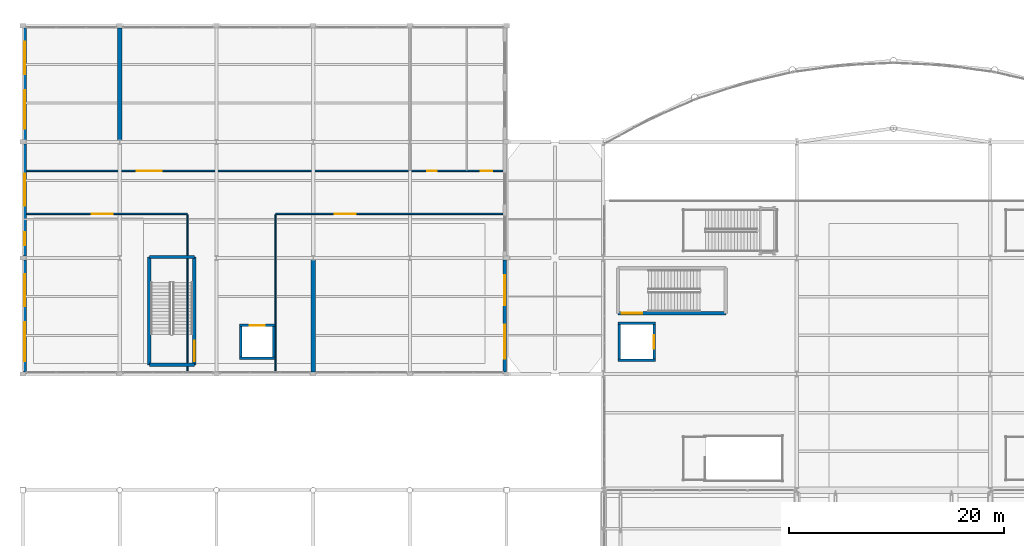
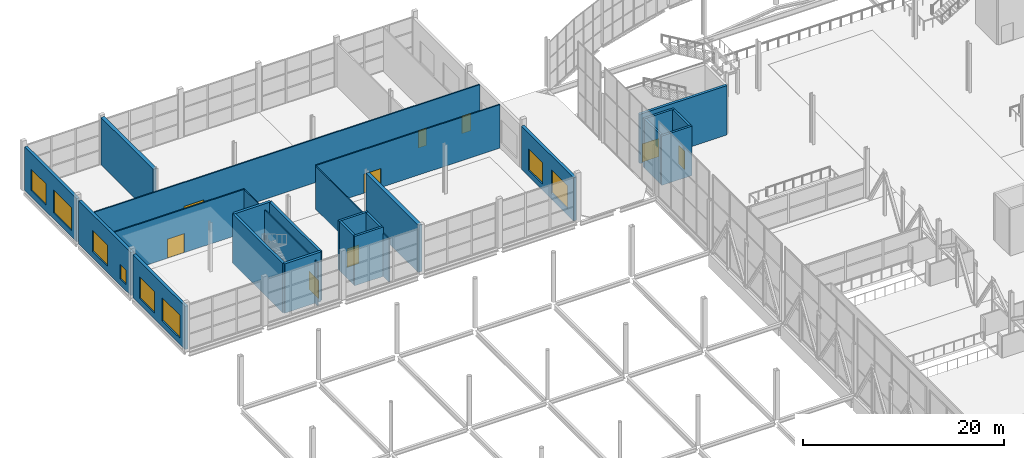
# One storey, part 169 of 191: 24 walls, 9 doors, 8 windows, 17 openings.
"""IFC4 building model written with IfcOpenShell, lengths in metres."""

from ifc_helpers import new_model, si_unit, direction, frame, frame_2d, origin, place, context, subcontext, project, spatial, rectangle, extrude, material, layer, layer_set, type_object, element, fill, save


model = new_model("IFC4")

# Units and contexts
model_context = context("Model", 3, precision=1e-05, world=origin(), true_north=direction((0.0, 1.0)))
body_context = subcontext(model_context, "Body", "Model", "MODEL_VIEW")
ifc_project = project(units=[si_unit("LENGTHUNIT", "METRE"), si_unit("AREAUNIT", "SQUARE_METRE"), si_unit("VOLUMEUNIT", "CUBIC_METRE"), si_unit("PLANEANGLEUNIT", "RADIAN"), si_unit("MASSUNIT", "GRAM", prefix="KILO")], contexts=[model_context])

# Site, building, storey
site_placement = place(None, origin())
site = spatial("IfcSite", under=ifc_project, at=site_placement, CompositionType="ELEMENT")
building_placement = place(site_placement, origin())
building = spatial("IfcBuilding", under=site, at=building_placement, Name="Tamarisk Ironworks Central Station", CompositionType="ELEMENT")
storey_placement = place(building_placement, frame((0.0, 0.0, 6.60009765625)))
storey = spatial("IfcBuildingStorey", under=building, at=storey_placement, Name="L01", CompositionType="ELEMENT", Elevation=6.60009765625)

# Wall, openings, windows
ifc_material_1 = material(Name="Clay facing brickwork and mortar", Category="masonry")
ifc_layer_1 = layer(ifc_material_1, 0.340087890625)
ifc_layer_set_1 = layer_set([ifc_layer_1], Name="Clay facing brickwork and mortar")
wall_type_1 = type_object("IfcWallType", Name="WL-BR340", PredefinedType="STANDARD", material=ifc_layer_set_1)
wall_1_placement = place(storey_placement, frame((0.169921875, 90.197998046875, 0.0), z_axis=(0.0, 0.0, 1.0), x_axis=(0.0, 1.0, 0.0)))
wall_1 = element("IfcWall", 1, at=wall_1_placement, inside=storey, type_object=wall_type_1, Name="L01 brick facade wall 0030", PredefinedType="STANDARD", context=body_context, shape_type="SweptSolid", body=[
    extrude(rectangle(XDim=10.404052734375, YDim=0.340087890625, at=frame_2d((5.2021484375, 0.0))), origin(), (0.0, 0.0, 1.0), 5.25),
])
opening_1_placement = place(wall_1_placement, frame((1.0009765625, 0.0, 0.75)))
opening_1 = element("IfcOpeningElement", 2, at=opening_1_placement, cuts=wall_1, Name="Opening W01", PredefinedType="OPENING", context=body_context, shape_type="SweptSolid", body=[
    extrude(rectangle(XDim=3.60009765625, YDim=2.800048828125, at=frame_2d((1.800048828125, 1.39990234375))), frame((0.0, 0.18212890625, 0.0), z_axis=(0.0, -1.0, 0.0), x_axis=(1.0, 0.0, 0.0)), (0.0, 0.0, 1.0), 0.364013671875),
])
opening_2_placement = place(wall_1_placement, frame((6.10302734375, 0.0, 0.75)))
opening_2 = element("IfcOpeningElement", 3, at=opening_2_placement, cuts=wall_1, Name="Opening W03", PredefinedType="OPENING", context=body_context, shape_type="SweptSolid", body=[
    extrude(rectangle(XDim=3.0, YDim=2.60009765625, at=frame_2d((1.5, 1.300048828125))), frame((0.0, 0.18212890625, 0.0), z_axis=(0.0, -1.0, 0.0), x_axis=(1.0, 0.0, 0.0)), (0.0, 0.0, 1.0), 0.364013671875),
])
ifc_material_2 = material(Name="Laminated solar-control low-E glass", Category="glass")
window_type_1 = type_object("IfcWindowType", Name="WN-01", PartitioningType="SINGLE_PANEL", PredefinedType="WINDOW", material=ifc_material_2)
window_1_placement = place(opening_1_placement, origin())
window_1 = element("IfcWindow", 4, at=window_1_placement, inside=storey, type_object=window_type_1, Name="L01 exterior window 0030", OverallHeight=2.800048828125, OverallWidth=3.60009765625, PartitioningType="DOUBLE_PANEL_VERTICAL", PredefinedType="WINDOW", context=body_context, shape_type="SweptSolid", body=[
    extrude(rectangle(XDim=3.60009765625, YDim=2.800048828125, at=frame_2d((1.800048828125, 1.39990234375))), frame((0.0, 0.030029296875, 0.0), z_axis=(0.0, -1.0, 0.0), x_axis=(1.0, 0.0, 0.0)), (0.0, 0.0, 1.0), 0.06005859375),
])
fill(opening_1, window_1)
window_type_2 = type_object("IfcWindowType", Name="WN-03", PartitioningType="SINGLE_PANEL", PredefinedType="WINDOW", material=ifc_material_2)
window_2_placement = place(opening_2_placement, origin())
window_2 = element("IfcWindow", 5, at=window_2_placement, inside=storey, type_object=window_type_2, Name="L01 exterior window 0031", OverallHeight=2.60009765625, OverallWidth=3.0, PartitioningType="DOUBLE_PANEL_VERTICAL", PredefinedType="WINDOW", context=body_context, shape_type="SweptSolid", body=[
    extrude(rectangle(XDim=3.0, YDim=2.60009765625, at=frame_2d((1.5, 1.300048828125))), frame((0.0, 0.030029296875, 0.0), z_axis=(0.0, -1.0, 0.0), x_axis=(1.0, 0.0, 0.0)), (0.0, 0.0, 1.0), 0.06005859375),
])
fill(opening_2, window_2)

wall_2_placement = place(storey_placement, frame((44.830078125, 90.197998046875, 0.0), z_axis=(0.0, 0.0, 1.0), x_axis=(0.0, 1.0, 0.0)))
wall_2 = element("IfcWall", 6, at=wall_2_placement, inside=storey, type_object=wall_type_1, Name="L01 brick facade wall 0031", PredefinedType="STANDARD", context=body_context, shape_type="SweptSolid", body=[
    extrude(rectangle(XDim=10.404052734375, YDim=0.340087890625, at=frame_2d((5.2021484375, 0.0))), origin(), (0.0, 0.0, 1.0), 5.25),
])
opening_3_placement = place(wall_2_placement, frame((1.200927734375, 0.0, 0.75)))
opening_3 = element("IfcOpeningElement", 7, at=opening_3_placement, cuts=wall_2, Name="Opening W02", PredefinedType="OPENING", context=body_context, shape_type="SweptSolid", body=[
    extrude(rectangle(XDim=3.199951171875, YDim=2.800048828125, at=frame_2d((1.60009765625, 1.39990234375))), frame((0.0, 0.18212890625, 0.0), z_axis=(0.0, -1.0, 0.0), x_axis=(1.0, 0.0, 0.0)), (0.0, 0.0, 1.0), 0.364013671875),
])
opening_4_placement = place(wall_2_placement, frame((6.202880859375, 0.0, 0.75)))
opening_4 = element("IfcOpeningElement", 8, at=opening_4_placement, cuts=wall_2, Name="Opening W04", PredefinedType="OPENING", context=body_context, shape_type="SweptSolid", body=[
    extrude(rectangle(XDim=2.800048828125, YDim=2.60009765625, at=frame_2d((1.39990234375, 1.300048828125))), frame((0.0, 0.18212890625, 0.0), z_axis=(0.0, -1.0, 0.0), x_axis=(1.0, 0.0, 0.0)), (0.0, 0.0, 1.0), 0.364013671875),
])
window_type_3 = type_object("IfcWindowType", Name="WN-02", PartitioningType="SINGLE_PANEL", PredefinedType="WINDOW", material=ifc_material_2)
window_3_placement = place(opening_3_placement, origin())
window_3 = element("IfcWindow", 9, at=window_3_placement, inside=storey, type_object=window_type_3, Name="L01 exterior window 0032", OverallHeight=2.800048828125, OverallWidth=3.199951171875, PartitioningType="DOUBLE_PANEL_VERTICAL", PredefinedType="WINDOW", context=body_context, shape_type="SweptSolid", body=[
    extrude(rectangle(XDim=3.199951171875, YDim=2.800048828125, at=frame_2d((1.60009765625, 1.39990234375))), frame((0.0, 0.030029296875, 0.0), z_axis=(0.0, -1.0, 0.0), x_axis=(1.0, 0.0, 0.0)), (0.0, 0.0, 1.0), 0.06005859375),
])
fill(opening_3, window_3)
window_type_4 = type_object("IfcWindowType", Name="WN-04", PartitioningType="SINGLE_PANEL", PredefinedType="WINDOW", material=ifc_material_2)
window_4_placement = place(opening_4_placement, origin())
window_4 = element("IfcWindow", 10, at=window_4_placement, inside=storey, type_object=window_type_4, Name="L01 exterior window 0033", OverallHeight=2.60009765625, OverallWidth=2.800048828125, PartitioningType="DOUBLE_PANEL_VERTICAL", PredefinedType="WINDOW", context=body_context, shape_type="SweptSolid", body=[
    extrude(rectangle(XDim=2.800048828125, YDim=2.60009765625, at=frame_2d((1.39990234375, 1.300048828125))), frame((0.0, 0.030029296875, 0.0), z_axis=(0.0, -1.0, 0.0), x_axis=(1.0, 0.0, 0.0)), (0.0, 0.0, 1.0), 0.06005859375),
])
fill(opening_4, window_4)

wall_3_placement = place(storey_placement, frame((0.169921875, 100.998046875, 0.0), z_axis=(0.0, 0.0, 1.0), x_axis=(0.0, 1.0, 0.0)))
wall_3 = element("IfcWall", 11, at=wall_3_placement, inside=storey, type_object=wall_type_1, Name="L01 brick facade wall 0032", PredefinedType="STANDARD", context=body_context, shape_type="SweptSolid", body=[
    extrude(rectangle(XDim=10.404052734375, YDim=0.340087890625, at=frame_2d((5.2021484375, 0.0))), origin(), (0.0, 0.0, 1.0), 5.25),
])
opening_5_placement = place(wall_3_placement, frame((1.0009765625, 0.0, 0.75)))
opening_5 = element("IfcOpeningElement", 12, at=opening_5_placement, cuts=wall_3, Name="Opening W13", PredefinedType="OPENING", context=body_context, shape_type="SweptSolid", body=[
    extrude(rectangle(XDim=1.199951171875, YDim=1.800048828125, at=frame_2d((0.60009765625, 0.89990234375))), frame((0.0, 0.18212890625, 0.0), z_axis=(0.0, -1.0, 0.0), x_axis=(1.0, 0.0, 0.0)), (0.0, 0.0, 1.0), 0.364013671875),
])
opening_6_placement = place(wall_3_placement, frame((4.653076171875, 0.0, 0.75)))
opening_6 = element("IfcOpeningElement", 13, at=opening_6_placement, cuts=wall_3, Name="Opening W03", PredefinedType="OPENING", context=body_context, shape_type="SweptSolid", body=[
    extrude(rectangle(XDim=3.0, YDim=2.60009765625, at=frame_2d((1.5, 1.300048828125))), frame((0.0, 0.18212890625, 0.0), z_axis=(0.0, -1.0, 0.0), x_axis=(1.0, 0.0, 0.0)), (0.0, 0.0, 1.0), 0.364013671875),
])
window_5_placement = place(opening_6_placement, origin())
window_5 = element("IfcWindow", 14, at=window_5_placement, inside=storey, type_object=window_type_2, Name="L01 exterior window 0035", OverallHeight=2.60009765625, OverallWidth=3.0, PartitioningType="DOUBLE_PANEL_VERTICAL", PredefinedType="WINDOW", context=body_context, shape_type="SweptSolid", body=[
    extrude(rectangle(XDim=3.0, YDim=2.60009765625, at=frame_2d((1.5, 1.300048828125))), frame((0.0, 0.030029296875, 0.0), z_axis=(0.0, -1.0, 0.0), x_axis=(1.0, 0.0, 0.0)), (0.0, 0.0, 1.0), 0.06005859375),
])
fill(opening_6, window_5)
window_type_5 = type_object("IfcWindowType", Name="WN-13", PartitioningType="SINGLE_PANEL", PredefinedType="WINDOW", material=ifc_material_2)
window_6_placement = place(opening_5_placement, origin())
window_6 = element("IfcWindow", 15, at=window_6_placement, inside=storey, type_object=window_type_5, Name="L01 exterior window 0034", OverallHeight=1.800048828125, OverallWidth=1.199951171875, PartitioningType="DOUBLE_PANEL_VERTICAL", PredefinedType="WINDOW", context=body_context, shape_type="SweptSolid", body=[
    extrude(rectangle(XDim=1.199951171875, YDim=1.800048828125, at=frame_2d((0.60009765625, 0.89990234375))), frame((0.0, 0.030029296875, 0.0), z_axis=(0.0, -1.0, 0.0), x_axis=(1.0, 0.0, 0.0)), (0.0, 0.0, 1.0), 0.06005859375),
])
fill(opening_5, window_6)

wall_4_placement = place(storey_placement, frame((0.169921875, 111.798095703125, 0.0), z_axis=(0.0, 0.0, 1.0), x_axis=(0.0, 1.0, 0.0)))
wall_4 = element("IfcWall", 16, at=wall_4_placement, inside=storey, type_object=wall_type_1, Name="L01 brick facade wall 0034", PredefinedType="STANDARD", context=body_context, shape_type="SweptSolid", body=[
    extrude(rectangle(XDim=10.40380859375, YDim=0.340087890625, at=frame_2d((5.201904296875, 0.0))), origin(), (0.0, 0.0, 1.0), 5.25),
])
opening_7_placement = place(wall_4_placement, frame((1.0009765625, 0.0, 0.75)))
opening_7 = element("IfcOpeningElement", 17, at=opening_7_placement, cuts=wall_4, Name="Opening W01", PredefinedType="OPENING", context=body_context, shape_type="SweptSolid", body=[
    extrude(rectangle(XDim=3.60009765625, YDim=2.800048828125, at=frame_2d((1.800048828125, 1.39990234375))), frame((0.0, 0.18212890625, 0.0), z_axis=(0.0, -1.0, 0.0), x_axis=(1.0, 0.0, 0.0)), (0.0, 0.0, 1.0), 0.364013671875),
])
opening_8_placement = place(wall_4_placement, frame((6.10302734375, 0.0, 0.75)))
opening_8 = element("IfcOpeningElement", 18, at=opening_8_placement, cuts=wall_4, Name="Opening W03", PredefinedType="OPENING", context=body_context, shape_type="SweptSolid", body=[
    extrude(rectangle(XDim=3.0, YDim=2.60009765625, at=frame_2d((1.5, 1.300048828125))), frame((0.0, 0.18212890625, 0.0), z_axis=(0.0, -1.0, 0.0), x_axis=(1.0, 0.0, 0.0)), (0.0, 0.0, 1.0), 0.364013671875),
])
window_7_placement = place(opening_7_placement, origin())
window_7 = element("IfcWindow", 19, at=window_7_placement, inside=storey, type_object=window_type_1, Name="L01 exterior window 0038", OverallHeight=2.800048828125, OverallWidth=3.60009765625, PartitioningType="DOUBLE_PANEL_VERTICAL", PredefinedType="WINDOW", context=body_context, shape_type="SweptSolid", body=[
    extrude(rectangle(XDim=3.60009765625, YDim=2.800048828125, at=frame_2d((1.800048828125, 1.39990234375))), frame((0.0, 0.030029296875, 0.0), z_axis=(0.0, -1.0, 0.0), x_axis=(1.0, 0.0, 0.0)), (0.0, 0.0, 1.0), 0.06005859375),
])
fill(opening_7, window_7)
window_8_placement = place(opening_8_placement, origin())
window_8 = element("IfcWindow", 20, at=window_8_placement, inside=storey, type_object=window_type_2, Name="L01 exterior window 0039", OverallHeight=2.60009765625, OverallWidth=3.0, PartitioningType="DOUBLE_PANEL_VERTICAL", PredefinedType="WINDOW", context=body_context, shape_type="SweptSolid", body=[
    extrude(rectangle(XDim=3.0, YDim=2.60009765625, at=frame_2d((1.5, 1.300048828125))), frame((0.0, 0.030029296875, 0.0), z_axis=(0.0, -1.0, 0.0), x_axis=(1.0, 0.0, 0.0)), (0.0, 0.0, 1.0), 0.06005859375),
])
fill(opening_8, window_8)

# Wall, opening, door
ifc_material_3 = material(Name="Concrete C50/60", Category="concrete")
ifc_layer_2 = layer(ifc_material_3, 0.300048828125)
ifc_layer_set_2 = layer_set([ifc_layer_2], Name="Concrete C50/60")
wall_type_2 = type_object("IfcWallType", Name="WL-CW300", PredefinedType="SOLIDWALL", material=ifc_layer_set_2)
wall_5_placement = place(storey_placement, frame((55.35498046875, 95.655029296875, 0.0), z_axis=(0.0, 0.0, 1.0), x_axis=(1.0, 0.0, 0.0)))
wall_5 = element("IfcWall", 21, at=wall_5_placement, inside=storey, type_object=wall_type_2, Name="ST-C3 core wall L (L01)", PredefinedType="SOLIDWALL", context=body_context, shape_type="SweptSolid", body=[
    extrude(rectangle(XDim=10.0400390625, YDim=0.300048828125, at=frame_2d((5.02001953125, 0.0))), origin(), (0.0, 0.0, 1.0), 6.0),
])
opening_9_placement = place(wall_5_placement, frame((0.35009765625, 0.0, 0.0048828125)))
opening_9 = element("IfcOpeningElement", 22, at=opening_9_placement, cuts=wall_5, Name="Opening FD02", PredefinedType="OPENING", context=body_context, shape_type="SweptSolid", body=[
    extrude(rectangle(XDim=1.89990234375, YDim=2.199951171875, at=frame_2d((0.949951171875, 1.10009765625))), frame((0.0, 0.162109375, 0.0), z_axis=(0.0, -1.0, 0.0), x_axis=(1.0, 0.0, 0.0)), (0.0, 0.0, 1.0), 0.323974609375),
])
ifc_material_4 = material(Name="Galvanised hollow-metal door steel", Category="steel")
door_type_1 = type_object("IfcDoorType", Name="DR-FD02", OperationType="NOTDEFINED", PredefinedType="DOOR", material=ifc_material_4)
door_1_placement = place(opening_9_placement, origin())
door_1 = element("IfcDoor", 23, at=door_1_placement, inside=storey, type_object=door_type_1, Name="ST-C3 fire stair door (L01)", OperationType="SINGLE_SWING_RIGHT", OverallHeight=2.199951171875, OverallWidth=1.89990234375, PredefinedType="DOOR", context=body_context, shape_type="SweptSolid", body=[
    extrude(rectangle(XDim=1.89990234375, YDim=2.199951171875, at=frame_2d((0.949951171875, 1.10009765625))), frame((0.0, 0.02490234375, 0.0), z_axis=(0.0, -1.0, 0.0), x_axis=(1.0, 0.0, 0.0)), (0.0, 0.0, 1.0), 0.050048828125),
])
fill(opening_9, door_1)

wall_6_placement = place(storey_placement, frame((15.945068359375, 90.85498046875, 0.0), z_axis=(0.0, 0.0, 1.0), x_axis=(0.0, 1.0, 0.0)))
wall_6 = element("IfcWall", 24, at=wall_6_placement, inside=storey, type_object=wall_type_2, Name="ST-C6 core wall L (L01)", PredefinedType="SOLIDWALL", context=body_context, shape_type="SweptSolid", body=[
    extrude(rectangle(XDim=10.0400390625, YDim=0.300048828125, at=frame_2d((5.02001953125, 0.0))), origin(), (0.0, 0.0, 1.0), 6.0),
])
opening_10_placement = place(wall_6_placement, frame((0.35009765625, 0.0, 0.0048828125)))
opening_10 = element("IfcOpeningElement", 25, at=opening_10_placement, cuts=wall_6, Name="Opening FD02", PredefinedType="OPENING", context=body_context, shape_type="SweptSolid", body=[
    extrude(rectangle(XDim=1.89990234375, YDim=2.199951171875, at=frame_2d((0.949951171875, 1.10009765625))), frame((0.0, 0.162109375, 0.0), z_axis=(0.0, -1.0, 0.0), x_axis=(1.0, 0.0, 0.0)), (0.0, 0.0, 1.0), 0.323974609375),
])
door_2_placement = place(opening_10_placement, origin())
door_2 = element("IfcDoor", 26, at=door_2_placement, inside=storey, type_object=door_type_1, Name="ST-C6 fire stair door (L01)", OperationType="SINGLE_SWING_RIGHT", OverallHeight=2.199951171875, OverallWidth=1.89990234375, PredefinedType="DOOR", context=body_context, shape_type="SweptSolid", body=[
    extrude(rectangle(XDim=1.89990234375, YDim=2.199951171875, at=frame_2d((0.949951171875, 1.10009765625))), frame((0.0, 0.02490234375, 0.0), z_axis=(0.0, -1.0, 0.0), x_axis=(1.0, 0.0, 0.0)), (0.0, 0.0, 1.0), 0.050048828125),
])
fill(opening_10, door_2)

# Walls
wall_7_placement = place(storey_placement, frame((11.7548828125, 90.85498046875, 0.0), z_axis=(0.0, 0.0, 1.0), x_axis=(0.0, 1.0, 0.0)))
element("IfcWall", 27, at=wall_7_placement, inside=storey, type_object=wall_type_2, Name="ST-C6 core wall R (L01)", PredefinedType="SOLIDWALL", context=body_context, shape_type="SweptSolid", body=[
    extrude(rectangle(XDim=10.0400390625, YDim=0.300048828125, at=frame_2d((5.02001953125, 0.0))), origin(), (0.0, 0.0, 1.0), 6.0),
])
for number, where, z_axis, x_axis, name in (
    (28, (15.945068359375, 90.85498046875, 0.0), (0.0, 0.0, 1.0), (-1.0, 0.0, 0.0), "ST-C6 core wall N (L01)"),
    (29, (15.945068359375, 100.89501953125, 0.0), (0.0, 0.0, 1.0), (-1.0, 0.0, 0.0), "ST-C6 core wall F (L01)"),
):
    element("IfcWall", number, at=place(storey_placement, frame(where, z_axis=z_axis, x_axis=x_axis)), inside=storey, type_object=wall_type_2, Name=name, PredefinedType="SOLIDWALL", context=body_context, shape_type="SweptSolid", body=[
        extrude(rectangle(XDim=4.190185546875, YDim=0.300048828125, at=frame_2d((2.09521484375, 0.0))), origin(), (0.0, 0.0, 1.0), 6.0),
    ])
ifc_material_5 = material(Name="Gypsum plasterboard acoustic partition")
ifc_layer_3 = layer(ifc_material_5, 0.1201171875)
ifc_layer_set_3 = layer_set([ifc_layer_3], Name="Gypsum plasterboard acoustic partition")
wall_type_3 = type_object("IfcWallType", Name="WL-PT120", PredefinedType="PARTITIONING", material=ifc_layer_set_3)
for number, where, z_axis, x_axis, name in (
    (30, (15.300048828125, 90.238037109375, 0.0), (0.0, 0.0, 1.0), (0.0, 1.0, 0.0), "L01 interior partition 0030"),
    (31, (23.5, 90.238037109375, 0.0), (0.0, 0.0, 1.0), (0.0, 1.0, 0.0), "L01 interior partition 0031"),
):
    element("IfcWall", number, at=place(storey_placement, frame(where, z_axis=z_axis, x_axis=x_axis)), inside=storey, type_object=wall_type_3, Name=name, PredefinedType="PARTITIONING", context=body_context, shape_type="SweptSolid", body=[
        extrude(rectangle(XDim=14.5888671875, YDim=0.1201171875, at=frame_2d((7.29443359375, 0.0))), origin(), (0.0, 0.0, 1.0), 5.239990234375),
    ])

# Wall, opening, door
ifc_layer_4 = layer(ifc_material_5, 0.14990234375)
ifc_layer_set_4 = layer_set([ifc_layer_4], Name="Gypsum plasterboard acoustic partition")
wall_type_4 = type_object("IfcWallType", Name="WL-PT150", PredefinedType="PARTITIONING", material=ifc_layer_set_4)
wall_8_placement = place(storey_placement, frame((0.337890625, 104.89990234375, 0.0), z_axis=(0.0, 0.0, 1.0), x_axis=(1.0, 0.0, 0.0)))
wall_8 = element("IfcWall", 32, at=wall_8_placement, inside=storey, type_object=wall_type_4, Name="L01 interior partition 0027", PredefinedType="PARTITIONING", context=body_context, shape_type="SweptSolid", body=[
    extrude(rectangle(XDim=14.962158203125, YDim=0.14990234375, at=frame_2d((7.48095703125, 0.0))), origin(), (0.0, 0.0, 1.0), 5.289794921875),
])
opening_11_placement = place(wall_8_placement, frame((6.06201171875, 0.0, 0.0048828125)))
opening_11 = element("IfcOpeningElement", 33, at=opening_11_placement, cuts=wall_8, Name="Opening D02", PredefinedType="OPENING", context=body_context, shape_type="SweptSolid", body=[
    extrude(rectangle(XDim=1.949951171875, YDim=2.300048828125, at=frame_2d((0.97509765625, 1.14990234375))), frame((0.0, 0.0869140625, 0.0), z_axis=(0.0, -1.0, 0.0), x_axis=(1.0, 0.0, 0.0)), (0.0, 0.0, 1.0), 0.173828125),
])
ifc_material_6 = material(Name="Anodized aluminium alloy 6063-T6", Category="aluminium")
door_type_2 = type_object("IfcDoorType", Name="DR-ID02", OperationType="NOTDEFINED", PredefinedType="DOOR", material=ifc_material_6)
door_3_placement = place(opening_11_placement, origin())
door_3 = element("IfcDoor", 34, at=door_3_placement, inside=storey, type_object=door_type_2, Name="L01 room door 0022", OperationType="DOUBLE_DOOR_SINGLE_SWING", OverallHeight=2.300048828125, OverallWidth=1.949951171875, PredefinedType="DOOR", context=body_context, shape_type="SweptSolid", body=[
    extrude(rectangle(XDim=1.949951171875, YDim=2.300048828125, at=frame_2d((0.97509765625, 1.14990234375))), frame((0.0, 0.02490234375, 0.0), z_axis=(0.0, -1.0, 0.0), x_axis=(1.0, 0.0, 0.0)), (0.0, 0.0, 1.0), 0.050048828125),
])
fill(opening_11, door_3)

wall_9_placement = place(storey_placement, frame((23.5, 104.89990234375, 0.0), z_axis=(0.0, 0.0, 1.0), x_axis=(1.0, 0.0, 0.0)))
wall_9 = element("IfcWall", 35, at=wall_9_placement, inside=storey, type_object=wall_type_4, Name="L01 interior partition 0028", PredefinedType="PARTITIONING", context=body_context, shape_type="SweptSolid", body=[
    extrude(rectangle(XDim=21.162109375, YDim=0.14990234375, at=frame_2d((10.5810546875, 0.0))), origin(), (0.0, 0.0, 1.0), 5.289794921875),
])
opening_12_placement = place(wall_9_placement, frame((5.5, 0.0, 0.0048828125)))
opening_12 = element("IfcOpeningElement", 36, at=opening_12_placement, cuts=wall_9, Name="Opening D02", PredefinedType="OPENING", context=body_context, shape_type="SweptSolid", body=[
    extrude(rectangle(XDim=1.949951171875, YDim=2.300048828125, at=frame_2d((0.97509765625, 1.14990234375))), frame((0.0, 0.0869140625, 0.0), z_axis=(0.0, -1.0, 0.0), x_axis=(1.0, 0.0, 0.0)), (0.0, 0.0, 1.0), 0.173828125),
])
door_4_placement = place(opening_12_placement, origin())
door_4 = element("IfcDoor", 37, at=door_4_placement, inside=storey, type_object=door_type_2, Name="L01 room door 0023", OperationType="DOUBLE_DOOR_SINGLE_SWING", OverallHeight=2.300048828125, OverallWidth=1.949951171875, PredefinedType="DOOR", context=body_context, shape_type="SweptSolid", body=[
    extrude(rectangle(XDim=1.949951171875, YDim=2.300048828125, at=frame_2d((0.97509765625, 1.14990234375))), frame((0.0, 0.02490234375, 0.0), z_axis=(0.0, -1.0, 0.0), x_axis=(1.0, 0.0, 0.0)), (0.0, 0.0, 1.0), 0.050048828125),
])
fill(opening_12, door_4)

# Wall, openings, doors
wall_10_placement = place(storey_placement, frame((0.337890625, 108.89990234375, 0.0), z_axis=(0.0, 0.0, 1.0), x_axis=(1.0, 0.0, 0.0)))
wall_10 = element("IfcWall", 38, at=wall_10_placement, inside=storey, type_object=wall_type_4, Name="L01 interior partition 0029", PredefinedType="PARTITIONING", context=body_context, shape_type="SweptSolid", body=[
    extrude(rectangle(XDim=44.32421875, YDim=0.14990234375, at=frame_2d((22.162109375, 0.0))), origin(), (0.0, 0.0, 1.0), 5.289794921875),
])
opening_13_placement = place(wall_10_placement, frame((10.261962890625, 0.0, 0.0048828125)))
opening_13 = element("IfcOpeningElement", 39, at=opening_13_placement, cuts=wall_10, Name="Opening D01", PredefinedType="OPENING", context=body_context, shape_type="SweptSolid", body=[
    extrude(rectangle(XDim=2.300048828125, YDim=2.39990234375, at=frame_2d((1.14990234375, 1.199951171875))), frame((0.0, 0.0869140625, 0.0), z_axis=(0.0, -1.0, 0.0), x_axis=(1.0, 0.0, 0.0)), (0.0, 0.0, 1.0), 0.173828125),
])
opening_14_placement = place(wall_10_placement, frame((37.261962890625, 0.0, 0.0048828125)))
opening_14 = element("IfcOpeningElement", 40, at=opening_14_placement, cuts=wall_10, Name="Opening WC01", PredefinedType="OPENING", context=body_context, shape_type="SweptSolid", body=[
    extrude(rectangle(XDim=0.919921875, YDim=2.1201171875, at=frame_2d((0.4599609375, 1.06005859375))), frame((0.0, 0.0869140625, 0.0), z_axis=(0.0, -1.0, 0.0), x_axis=(1.0, 0.0, 0.0)), (0.0, 0.0, 1.0), 0.173828125),
])
opening_15_placement = place(wall_10_placement, frame((42.261962890625, 0.0, 0.0048828125)))
opening_15 = element("IfcOpeningElement", 41, at=opening_15_placement, cuts=wall_10, Name="Opening WC02", PredefinedType="OPENING", context=body_context, shape_type="SweptSolid", body=[
    extrude(rectangle(XDim=1.050048828125, YDim=2.14990234375, at=frame_2d((0.52490234375, 1.074951171875))), frame((0.0, 0.0869140625, 0.0), z_axis=(0.0, -1.0, 0.0), x_axis=(1.0, 0.0, 0.0)), (0.0, 0.0, 1.0), 0.173828125),
])
door_type_3 = type_object("IfcDoorType", Name="DR-ID01", OperationType="NOTDEFINED", PredefinedType="DOOR", material=ifc_material_6)
door_5_placement = place(opening_13_placement, origin())
door_5 = element("IfcDoor", 42, at=door_5_placement, inside=storey, type_object=door_type_3, Name="L01 room door 0024", OperationType="DOUBLE_DOOR_SINGLE_SWING", OverallHeight=2.39990234375, OverallWidth=2.300048828125, PredefinedType="DOOR", context=body_context, shape_type="SweptSolid", body=[
    extrude(rectangle(XDim=2.300048828125, YDim=2.39990234375, at=frame_2d((1.14990234375, 1.199951171875))), frame((0.0, 0.02490234375, 0.0), z_axis=(0.0, -1.0, 0.0), x_axis=(1.0, 0.0, 0.0)), (0.0, 0.0, 1.0), 0.050048828125),
])
fill(opening_13, door_5)
ifc_material_7 = material(Name="FSC certified tropical hardwood timber", Category="wood")
door_type_4 = type_object("IfcDoorType", Name="DR-WC01", OperationType="NOTDEFINED", PredefinedType="DOOR", material=ifc_material_7)
door_6_placement = place(opening_14_placement, origin())
door_6 = element("IfcDoor", 43, at=door_6_placement, inside=storey, type_object=door_type_4, Name="L01 room door 0025", OperationType="SINGLE_SWING_LEFT", OverallHeight=2.1201171875, OverallWidth=0.919921875, PredefinedType="DOOR", context=body_context, shape_type="SweptSolid", body=[
    extrude(rectangle(XDim=0.919921875, YDim=2.1201171875, at=frame_2d((0.4599609375, 1.06005859375))), frame((0.0, 0.02490234375, 0.0), z_axis=(0.0, -1.0, 0.0), x_axis=(1.0, 0.0, 0.0)), (0.0, 0.0, 1.0), 0.050048828125),
])
fill(opening_14, door_6)
door_type_5 = type_object("IfcDoorType", Name="DR-WC02", OperationType="NOTDEFINED", PredefinedType="DOOR", material=ifc_material_7)
door_7_placement = place(opening_15_placement, origin())
door_7 = element("IfcDoor", 44, at=door_7_placement, inside=storey, type_object=door_type_5, Name="L01 room door 0026", OperationType="SINGLE_SWING_RIGHT", OverallHeight=2.14990234375, OverallWidth=1.050048828125, PredefinedType="DOOR", context=body_context, shape_type="SweptSolid", body=[
    extrude(rectangle(XDim=1.050048828125, YDim=2.14990234375, at=frame_2d((0.52490234375, 1.074951171875))), frame((0.0, 0.02490234375, 0.0), z_axis=(0.0, -1.0, 0.0), x_axis=(1.0, 0.0, 0.0)), (0.0, 0.0, 1.0), 0.050048828125),
])
fill(opening_15, door_7)

# Walls
ifc_layer_5 = layer(ifc_material_3, 0.25)
ifc_layer_set_5 = layer_set([ifc_layer_5], Name="Concrete C50/60")
wall_type_5 = type_object("IfcWallType", Name="WL-SH250", PredefinedType="SOLIDWALL", material=ifc_layer_set_5)
for number, where, z_axis, x_axis, name in (
    (45, (55.35009765625, 91.27490234375, 0.0), (0.0, 0.0, 1.0), (1.0, 0.0, 0.0), "LF-C1 lift shaft wall S (L01)"),
    (46, (55.35009765625, 94.72509765625, 0.0), (0.0, 0.0, 1.0), (1.0, 0.0, 0.0), "LF-C1 lift shaft wall N (L01)"),
):
    element("IfcWall", number, at=place(storey_placement, frame(where, z_axis=z_axis, x_axis=x_axis)), inside=storey, type_object=wall_type_5, Name=name, PredefinedType="SOLIDWALL", context=body_context, shape_type="SweptSolid", body=[
        extrude(rectangle(XDim=3.5, YDim=0.25, at=frame_2d((1.75, 0.0))), origin(), (0.0, 0.0, 1.0), 6.0),
    ])
wall_11_placement = place(storey_placement, frame((55.47509765625, 91.39990234375, 0.0), z_axis=(0.0, 0.0, 1.0), x_axis=(0.0, 1.0, 0.0)))
element("IfcWall", 47, at=wall_11_placement, inside=storey, type_object=wall_type_5, Name="LF-C1 lift shaft wall W (L01)", PredefinedType="SOLIDWALL", context=body_context, shape_type="SweptSolid", body=[
    extrude(rectangle(XDim=3.2001953125, YDim=0.25, at=frame_2d((1.60009765625, 0.0))), origin(), (0.0, 0.0, 1.0), 6.0),
])

# Wall, opening, door
wall_12_placement = place(storey_placement, frame((58.72509765625, 91.39990234375, 0.0), z_axis=(0.0, 0.0, 1.0), x_axis=(0.0, 1.0, 0.0)))
wall_12 = element("IfcWall", 48, at=wall_12_placement, inside=storey, type_object=wall_type_5, Name="LF-C1 lift shaft wall E (L01)", PredefinedType="SOLIDWALL", context=body_context, shape_type="SweptSolid", body=[
    extrude(rectangle(XDim=3.2001953125, YDim=0.25, at=frame_2d((1.60009765625, 0.0))), origin(), (0.0, 0.0, 1.0), 6.0),
])
opening_16_placement = place(wall_12_placement, frame((0.97509765625, 0.0, 0.0048828125)))
opening_16 = element("IfcOpeningElement", 49, at=opening_16_placement, cuts=wall_12, Name="Opening LD02", PredefinedType="OPENING", context=body_context, shape_type="SweptSolid", body=[
    extrude(rectangle(XDim=1.25, YDim=2.199951171875, at=frame_2d((0.625, 1.10009765625))), frame((0.0, 0.136962890625, 0.0), z_axis=(0.0, -1.0, 0.0), x_axis=(1.0, 0.0, 0.0)), (0.0, 0.0, 1.0), 0.27392578125),
])
ifc_material_8 = material(Name="Brushed stainless steel AISI 316", Category="steel")
door_type_6 = type_object("IfcDoorType", Name="DR-LD02", OperationType="NOTDEFINED", PredefinedType="DOOR", material=ifc_material_8)
door_8_placement = place(opening_16_placement, origin())
door_8 = element("IfcDoor", 50, at=door_8_placement, inside=storey, type_object=door_type_6, Name="LF-C1 sliding lift landing door (L01)", OperationType="SLIDING_TO_LEFT", OverallHeight=2.199951171875, OverallWidth=1.25, PredefinedType="DOOR", context=body_context, shape_type="SweptSolid", body=[
    extrude(rectangle(XDim=1.25, YDim=2.199951171875, at=frame_2d((0.625, 1.10009765625))), frame((0.0, 0.02490234375, 0.0), z_axis=(0.0, -1.0, 0.0), x_axis=(1.0, 0.0, 0.0)), (0.0, 0.0, 1.0), 0.050048828125),
])
fill(opening_16, door_8)

# Wall
wall_13_placement = place(storey_placement, frame((20.14990234375, 91.47509765625, 0.0), z_axis=(0.0, 0.0, 1.0), x_axis=(1.0, 0.0, 0.0)))
element("IfcWall", 51, at=wall_13_placement, inside=storey, type_object=wall_type_5, Name="LF-V1 lift shaft wall S (L01)", PredefinedType="SOLIDWALL", context=body_context, shape_type="SweptSolid", body=[
    extrude(rectangle(XDim=3.300048828125, YDim=0.25, at=frame_2d((1.64990234375, 0.0))), origin(), (0.0, 0.0, 1.0), 6.0),
])

# Wall, opening, door
wall_14_placement = place(storey_placement, frame((20.14990234375, 94.52490234375, 0.0), z_axis=(0.0, 0.0, 1.0), x_axis=(1.0, 0.0, 0.0)))
wall_14 = element("IfcWall", 52, at=wall_14_placement, inside=storey, type_object=wall_type_5, Name="LF-V1 lift shaft wall N (L01)", PredefinedType="SOLIDWALL", context=body_context, shape_type="SweptSolid", body=[
    extrude(rectangle(XDim=3.300048828125, YDim=0.25, at=frame_2d((1.64990234375, 0.0))), origin(), (0.0, 0.0, 1.0), 6.0),
])
opening_17_placement = place(wall_14_placement, frame((0.949951171875, 0.0, 0.0048828125)))
opening_17 = element("IfcOpeningElement", 53, at=opening_17_placement, cuts=wall_14, Name="Opening LD01", PredefinedType="OPENING", context=body_context, shape_type="SweptSolid", body=[
    extrude(rectangle(XDim=1.39990234375, YDim=2.25, at=frame_2d((0.699951171875, 1.125))), frame((0.0, 0.136962890625, 0.0), z_axis=(0.0, -1.0, 0.0), x_axis=(1.0, 0.0, 0.0)), (0.0, 0.0, 1.0), 0.27392578125),
])
door_type_7 = type_object("IfcDoorType", Name="DR-LD01", OperationType="NOTDEFINED", PredefinedType="DOOR", material=ifc_material_8)
door_9_placement = place(opening_17_placement, origin())
door_9 = element("IfcDoor", 54, at=door_9_placement, inside=storey, type_object=door_type_7, Name="LF-V1 sliding lift landing door (L01)", OperationType="SLIDING_TO_LEFT", OverallHeight=2.25, OverallWidth=1.39990234375, PredefinedType="DOOR", context=body_context, shape_type="SweptSolid", body=[
    extrude(rectangle(XDim=1.39990234375, YDim=2.25, at=frame_2d((0.699951171875, 1.125))), frame((0.0, 0.02490234375, 0.0), z_axis=(0.0, -1.0, 0.0), x_axis=(1.0, 0.0, 0.0)), (0.0, 0.0, 1.0), 0.050048828125),
])
fill(opening_17, door_9)

# Walls
for number, where, z_axis, x_axis, name in (
    (55, (20.27490234375, 91.60009765625, 0.0), (0.0, 0.0, 1.0), (0.0, 1.0, 0.0), "LF-V1 lift shaft wall W (L01)"),
    (56, (23.324951171875, 91.60009765625, 0.0), (0.0, 0.0, 1.0), (0.0, 1.0, 0.0), "LF-V1 lift shaft wall E (L01)"),
):
    element("IfcWall", number, at=place(storey_placement, frame(where, z_axis=z_axis, x_axis=x_axis)), inside=storey, type_object=wall_type_5, Name=name, PredefinedType="SOLIDWALL", context=body_context, shape_type="SweptSolid", body=[
        extrude(rectangle(XDim=2.7998046875, YDim=0.25, at=frame_2d((1.39990234375, 0.0))), origin(), (0.0, 0.0, 1.0), 6.0),
    ])
ifc_layer_6 = layer(ifc_material_3, 0.419921875)
ifc_layer_set_6 = layer_set([ifc_layer_6], Name="Concrete C50/60")
wall_type_6 = type_object("IfcWallType", Name="WL-SW420", PredefinedType="SHEAR", material=ifc_layer_set_6)
wall_15_placement = place(storey_placement, frame((27.0, 90.197998046875, 0.0), z_axis=(0.0, 0.0, 1.0), x_axis=(0.0, 1.0, 0.0)))
element("IfcWall", 57, at=wall_15_placement, inside=storey, type_object=wall_type_6, Name="L01 pavilion shear wall 07", PredefinedType="SHEAR", context=body_context, shape_type="SweptSolid", body=[
    extrude(rectangle(XDim=10.404052734375, YDim=0.419921875, at=frame_2d((5.2021484375, 0.0))), origin(), (0.0, 0.0, 1.0), 5.75),
])
wall_16_placement = place(storey_placement, frame((9.0, 111.798095703125, 0.0), z_axis=(0.0, 0.0, 1.0), x_axis=(0.0, 1.0, 0.0)))
element("IfcWall", 58, at=wall_16_placement, inside=storey, type_object=wall_type_6, Name="L01 pavilion shear wall 08", PredefinedType="SHEAR", context=body_context, shape_type="SweptSolid", body=[
    extrude(rectangle(XDim=10.40380859375, YDim=0.419921875, at=frame_2d((5.201904296875, 0.0))), origin(), (0.0, 0.0, 1.0), 5.75),
])

save(model, "model.ifc")
